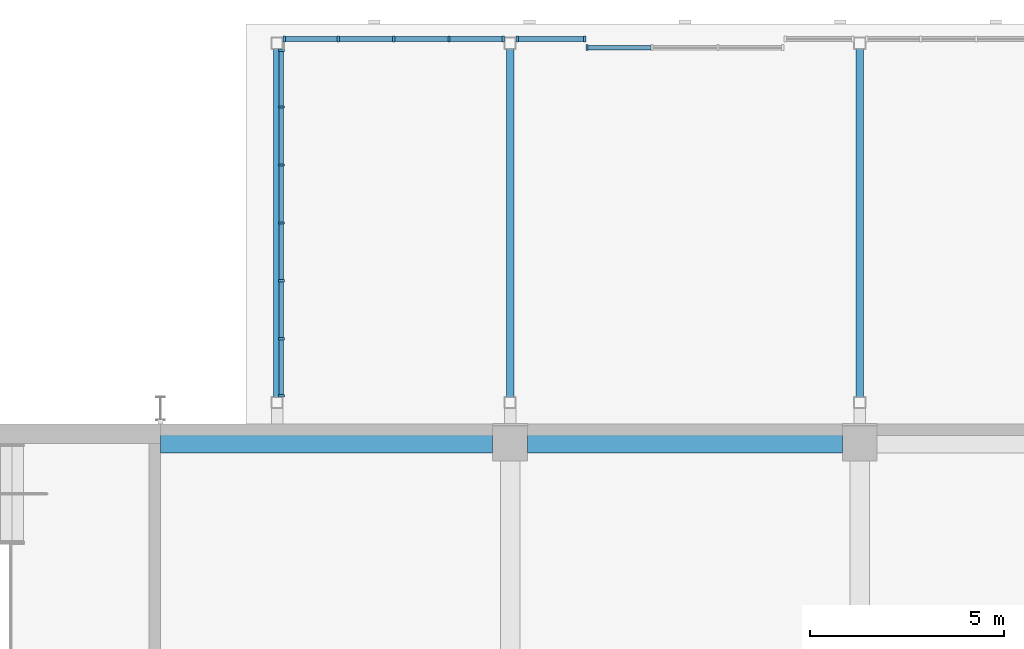
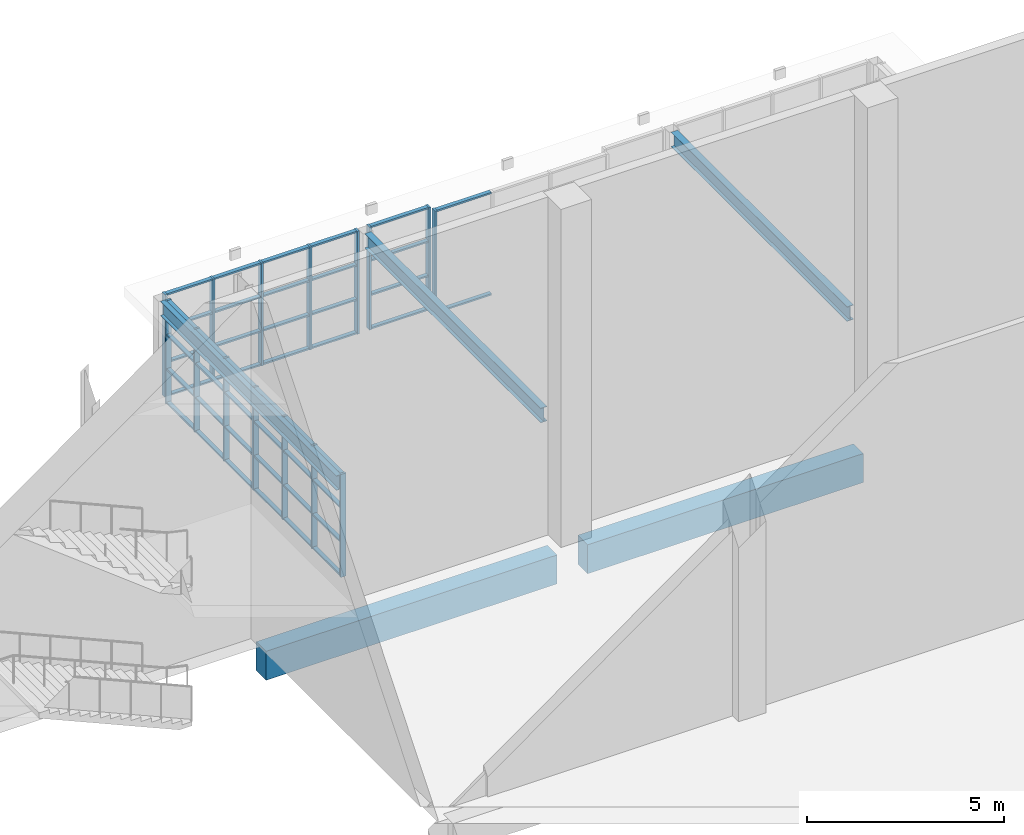
# One storey, part 58 of 182: 61 members, 5 beams, 4 elements without a shape of their own.
"""IFC4 building model written with IfcOpenShell, lengths in metres."""

from ifc_helpers import new_model, si_unit, direction, frame, origin, origin_2d, place, context, subcontext, project, spatial, rectangle, i_section, extrude, material, material_profile, profile_set, type_object, element, aggregate, save


model = new_model("IFC4")

# Units and contexts
model_context = context("Model", 3, precision=1e-05, world=origin(), true_north=direction((0.0, 1.0)))
body_context = subcontext(model_context, "Body", "Model", "MODEL_VIEW")
ifc_project = project(units=[si_unit("LENGTHUNIT", "METRE"), si_unit("AREAUNIT", "SQUARE_METRE"), si_unit("VOLUMEUNIT", "CUBIC_METRE"), si_unit("PLANEANGLEUNIT", "RADIAN"), si_unit("MASSUNIT", "GRAM", prefix="KILO")], contexts=[model_context])

# Site, building, storey
site_placement = place(None, origin())
site = spatial("IfcSite", under=ifc_project, at=site_placement, CompositionType="ELEMENT")
building_placement = place(site_placement, origin())
building = spatial("IfcBuilding", under=site, at=building_placement, Name="Silverbay Arena", CompositionType="ELEMENT")
storey_placement = place(building_placement, frame((0.0, 0.0, 11.5)))
storey = spatial("IfcBuildingStorey", under=building, at=storey_placement, Name="L02", CompositionType="ELEMENT", Elevation=11.5)

# Beams
ifc_material_1 = material(Name="Steel S355", Category="steel")
ifc_material_profile_1 = material_profile(ifc_material_1, i_section(OverallWidth=0.18994140625, OverallDepth=0.453369140625, WebThickness=0.008544921875, FlangeThickness=0.0126953125, at=origin_2d()), Name="UB 457x191x67")
ifc_profile_set_1 = profile_set([ifc_material_profile_1], Name="Steel S355")
beam_type_1 = type_object("IfcBeamType", Name="Hall beam UB 457x191x67", PredefinedType="BEAM", material=ifc_profile_set_1)
for number, where, z_axis, x_axis, name in (
    (1, (120.0, 145.199951171875, 2.973388671875), (0.0, 1.0, 0.0), (-1.0, 0.0, 0.0), "North entrance hall N1 transverse beam 1R"),
    (2, (126.0, 145.199951171875, 2.973388671875), (0.0, 1.0, 0.0), (-1.0, 0.0, 0.0), "North entrance hall N1 transverse beam 2R"),
    (3, (135.0, 145.199951171875, 2.973388671875), (0.0, 1.0, 0.0), (-1.0, 0.0, 0.0), "North entrance hall N1 transverse beam 3R"),
):
    element("IfcBeam", number, at=place(storey_placement, frame(where, z_axis=z_axis, x_axis=x_axis)), inside=storey, type_object=beam_type_1, Name=name, PredefinedType="BEAM", context=body_context, shape_type="SweptSolid", body=[
        extrude(i_section(OverallWidth=0.18994140625, OverallDepth=0.453369140625, WebThickness=0.008544921875, FlangeThickness=0.0126953125, at=origin_2d()), origin(), (0.0, 0.0, 1.0), 8.949951171875),
    ])

# Curtain wall, members
ifc_material_2 = material(Name="Aluminium framed curtain wall", Category="aluminium")
curtain_wall_type_1 = type_object("IfcCurtainWallType", Name="Curtain wall 5700 x 3200", PredefinedType="NOTDEFINED", material=ifc_material_2)
curtain_wall_1_placement = place(storey_placement, origin())
curtain_wall_1 = element("IfcCurtainWall", 4, at=curtain_wall_1_placement, inside=storey, type_object=curtain_wall_type_1, Name="North entrance hall N1 glazing F0", PredefinedType="NOTDEFINED")
ifc_material_3 = material(Name="Aluminium", Category="aluminium")
ifc_material_profile_2 = material_profile(ifc_material_3, rectangle(XDim=0.159912109375, YDim=0.06005859375, at=origin_2d()), Name="Mullion 60 x 160")
ifc_profile_set_2 = profile_set([ifc_material_profile_2], Name="Aluminium")
member_type_1 = type_object("IfcMemberType", Name="Mullion 60 x 160", PredefinedType="MULLION", material=ifc_profile_set_2)
member_1_placement = place(storey_placement, frame((120.179931640625, 154.409912109375, 0.0), z_axis=(0.0, 0.0, 1.0), x_axis=(0.0, 1.0, 0.0)))
member_1 = element("IfcMember", 5, at=member_1_placement, type_object=member_type_1, Name="CW43 mullion 1", PredefinedType="MULLION", context=body_context, shape_type="SweptSolid", body=[
    extrude(rectangle(XDim=0.159912109375, YDim=0.06005859375, at=origin_2d()), origin(), (0.0, 0.0, 1.0), 3.199951171875),
])
member_2_placement = place(storey_placement, frame((121.574951171875, 154.409912109375, 0.0), z_axis=(0.0, 0.0, 1.0), x_axis=(0.0, 1.0, 0.0)))
member_2 = element("IfcMember", 6, at=member_2_placement, type_object=member_type_1, Name="CW43 mullion 2", PredefinedType="MULLION", context=body_context, shape_type="SweptSolid", body=[
    extrude(rectangle(XDim=0.159912109375, YDim=0.06005859375, at=origin_2d()), origin(), (0.0, 0.0, 1.0), 3.199951171875),
])
member_3_placement = place(storey_placement, frame((123.0, 154.409912109375, 0.0), z_axis=(0.0, 0.0, 1.0), x_axis=(0.0, 1.0, 0.0)))
member_3 = element("IfcMember", 7, at=member_3_placement, type_object=member_type_1, Name="CW43 mullion 3", PredefinedType="MULLION", context=body_context, shape_type="SweptSolid", body=[
    extrude(rectangle(XDim=0.159912109375, YDim=0.06005859375, at=origin_2d()), origin(), (0.0, 0.0, 1.0), 3.199951171875),
])
member_4_placement = place(storey_placement, frame((124.425048828125, 154.409912109375, 0.0), z_axis=(0.0, 0.0, 1.0), x_axis=(0.0, 1.0, 0.0)))
member_4 = element("IfcMember", 8, at=member_4_placement, type_object=member_type_1, Name="CW43 mullion 4", PredefinedType="MULLION", context=body_context, shape_type="SweptSolid", body=[
    extrude(rectangle(XDim=0.159912109375, YDim=0.06005859375, at=origin_2d()), origin(), (0.0, 0.0, 1.0), 3.199951171875),
])
member_5_placement = place(storey_placement, frame((125.820068359375, 154.409912109375, 0.0), z_axis=(0.0, 0.0, 1.0), x_axis=(0.0, 1.0, 0.0)))
member_5 = element("IfcMember", 9, at=member_5_placement, type_object=member_type_1, Name="CW43 mullion 5", PredefinedType="MULLION", context=body_context, shape_type="SweptSolid", body=[
    extrude(rectangle(XDim=0.159912109375, YDim=0.06005859375, at=origin_2d()), origin(), (0.0, 0.0, 1.0), 3.199951171875),
])

ifc_material_4 = material(Name="Aluminium framed curtain wall", Category="aluminium")
curtain_wall_type_2 = type_object("IfcCurtainWallType", Name="Curtain wall 1800 x 3200", PredefinedType="NOTDEFINED", material=ifc_material_4)
curtain_wall_2_placement = place(storey_placement, origin())
curtain_wall_2 = element("IfcCurtainWall", 10, at=curtain_wall_2_placement, inside=storey, type_object=curtain_wall_type_2, Name="North entrance hall N1 glazing F1a", PredefinedType="NOTDEFINED")
member_6_placement = place(storey_placement, frame((126.179931640625, 154.409912109375, 0.0), z_axis=(0.0, 0.0, 1.0), x_axis=(0.0, 1.0, 0.0)))
member_6 = element("IfcMember", 11, at=member_6_placement, type_object=member_type_1, Name="CW45 mullion 1", PredefinedType="MULLION", context=body_context, shape_type="SweptSolid", body=[
    extrude(rectangle(XDim=0.159912109375, YDim=0.06005859375, at=origin_2d()), origin(), (0.0, 0.0, 1.0), 3.199951171875),
])
member_7_placement = place(storey_placement, frame((127.919921875, 154.409912109375, 0.0), z_axis=(0.0, 0.0, 1.0), x_axis=(0.0, 1.0, 0.0)))
member_7 = element("IfcMember", 12, at=member_7_placement, type_object=member_type_1, Name="CW45 mullion 2", PredefinedType="MULLION", context=body_context, shape_type="SweptSolid", body=[
    extrude(rectangle(XDim=0.159912109375, YDim=0.06005859375, at=origin_2d()), origin(), (0.0, 0.0, 1.0), 3.199951171875),
])

ifc_material_5 = material(Name="Aluminium framed curtain wall", Category="aluminium")
curtain_wall_type_3 = type_object("IfcCurtainWallType", Name="Curtain wall 8950 x 3200", PredefinedType="NOTDEFINED", material=ifc_material_5)
curtain_wall_3_placement = place(storey_placement, origin())
curtain_wall_3 = element("IfcCurtainWall", 13, at=curtain_wall_3_placement, inside=storey, type_object=curtain_wall_type_3, Name="North entrance hall N1 glazing SA", PredefinedType="NOTDEFINED")
member_8_placement = place(storey_placement, frame((120.110107421875, 154.1201171875, 0.0), z_axis=(0.0, 0.0, 1.0), x_axis=(1.0, 0.0, 0.0)))
member_8 = element("IfcMember", 14, at=member_8_placement, type_object=member_type_1, Name="CW47 mullion 1", PredefinedType="MULLION", context=body_context, shape_type="SweptSolid", body=[
    extrude(rectangle(XDim=0.159912109375, YDim=0.06005859375, at=origin_2d()), origin(), (0.0, 0.0, 1.0), 3.199951171875),
])
member_9_placement = place(storey_placement, frame((120.110107421875, 152.658447265625, 0.0), z_axis=(0.0, 0.0, 1.0), x_axis=(1.0, 0.0, 0.0)))
member_9 = element("IfcMember", 15, at=member_9_placement, type_object=member_type_1, Name="CW47 mullion 2", PredefinedType="MULLION", context=body_context, shape_type="SweptSolid", body=[
    extrude(rectangle(XDim=0.159912109375, YDim=0.06005859375, at=origin_2d()), origin(), (0.0, 0.0, 1.0), 3.199951171875),
])
member_10_placement = place(storey_placement, frame((120.110107421875, 151.166748046875, 0.0), z_axis=(0.0, 0.0, 1.0), x_axis=(1.0, 0.0, 0.0)))
member_10 = element("IfcMember", 16, at=member_10_placement, type_object=member_type_1, Name="CW47 mullion 3", PredefinedType="MULLION", context=body_context, shape_type="SweptSolid", body=[
    extrude(rectangle(XDim=0.159912109375, YDim=0.06005859375, at=origin_2d()), origin(), (0.0, 0.0, 1.0), 3.199951171875),
])
member_11_placement = place(storey_placement, frame((120.110107421875, 149.675048828125, 0.0), z_axis=(0.0, 0.0, 1.0), x_axis=(1.0, 0.0, 0.0)))
member_11 = element("IfcMember", 17, at=member_11_placement, type_object=member_type_1, Name="CW47 mullion 4", PredefinedType="MULLION", context=body_context, shape_type="SweptSolid", body=[
    extrude(rectangle(XDim=0.159912109375, YDim=0.06005859375, at=origin_2d()), origin(), (0.0, 0.0, 1.0), 3.199951171875),
])
member_12_placement = place(storey_placement, frame((120.110107421875, 148.183349609375, 0.0), z_axis=(0.0, 0.0, 1.0), x_axis=(1.0, 0.0, 0.0)))
member_12 = element("IfcMember", 18, at=member_12_placement, type_object=member_type_1, Name="CW47 mullion 5", PredefinedType="MULLION", context=body_context, shape_type="SweptSolid", body=[
    extrude(rectangle(XDim=0.159912109375, YDim=0.06005859375, at=origin_2d()), origin(), (0.0, 0.0, 1.0), 3.199951171875),
])
member_13_placement = place(storey_placement, frame((120.110107421875, 146.691650390625, 0.0), z_axis=(0.0, 0.0, 1.0), x_axis=(1.0, 0.0, 0.0)))
member_13 = element("IfcMember", 19, at=member_13_placement, type_object=member_type_1, Name="CW47 mullion 6", PredefinedType="MULLION", context=body_context, shape_type="SweptSolid", body=[
    extrude(rectangle(XDim=0.159912109375, YDim=0.06005859375, at=origin_2d()), origin(), (0.0, 0.0, 1.0), 3.199951171875),
])
member_14_placement = place(storey_placement, frame((120.110107421875, 145.22998046875, 0.0), z_axis=(0.0, 0.0, 1.0), x_axis=(1.0, 0.0, 0.0)))
member_14 = element("IfcMember", 20, at=member_14_placement, type_object=member_type_1, Name="CW47 mullion 7", PredefinedType="MULLION", context=body_context, shape_type="SweptSolid", body=[
    extrude(rectangle(XDim=0.159912109375, YDim=0.06005859375, at=origin_2d()), origin(), (0.0, 0.0, 1.0), 3.199951171875),
])

# Curtain wall, member
ifc_material_6 = material(Name="Aluminium framed curtain wall", Category="aluminium")
curtain_wall_type_4 = type_object("IfcCurtainWallType", Name="Curtain wall 5100 x 3200", PredefinedType="NOTDEFINED", material=ifc_material_6)
curtain_wall_4_placement = place(storey_placement, origin())
curtain_wall_4 = element("IfcCurtainWall", 21, at=curtain_wall_4_placement, inside=storey, type_object=curtain_wall_type_4, Name="North entrance hall N1 glazing over the door", PredefinedType="NOTDEFINED")
member_15_placement = place(storey_placement, frame((127.97998046875, 154.18994140625, 0.0), z_axis=(0.0, 0.0, 1.0), x_axis=(0.0, -1.0, 0.0)))
member_15 = element("IfcMember", 22, at=member_15_placement, type_object=member_type_1, Name="CW48 mullion 4", PredefinedType="MULLION", context=body_context, shape_type="SweptSolid", body=[
    extrude(rectangle(XDim=0.159912109375, YDim=0.06005859375, at=origin_2d()), origin(), (0.0, 0.0, 1.0), 3.199951171875),
])

# Beams
ifc_material_7 = material(Name="Concrete Grade C45", Category="concrete")
ifc_material_profile_3 = material_profile(ifc_material_7, rectangle(XDim=0.5, YDim=0.89990234375, at=origin_2d()), Name="RC 500x900")
ifc_profile_set_3 = profile_set([ifc_material_profile_3], Name="Concrete Grade C45")
beam_type_2 = type_object("IfcBeamType", Name="RC beam 500x900", PredefinedType="BEAM", material=ifc_profile_set_3)
beam_1_placement = place(storey_placement, frame((117.0, 144.0, -0.800048828125), z_axis=(1.0, 0.0, 0.0), x_axis=(0.0, 1.0, 0.0)))
element("IfcBeam", 23, at=beam_1_placement, inside=storey, type_object=beam_type_2, Name="Floor beam L02 175", PredefinedType="BEAM", context=body_context, shape_type="SweptSolid", body=[
    extrude(rectangle(XDim=0.5, YDim=0.89990234375, at=origin_2d()), origin(), (0.0, 0.0, 1.0), 8.550048828125),
])
beam_2_placement = place(storey_placement, frame((126.449951171875, 144.0, -0.800048828125), z_axis=(1.0, 0.0, 0.0), x_axis=(0.0, 1.0, 0.0)))
element("IfcBeam", 24, at=beam_2_placement, inside=storey, type_object=beam_type_2, Name="Floor beam L02 176", PredefinedType="BEAM", context=body_context, shape_type="SweptSolid", body=[
    extrude(rectangle(XDim=0.5, YDim=0.89990234375, at=origin_2d()), origin(), (0.0, 0.0, 1.0), 8.10009765625),
])

# Member
ifc_material_8 = material(Name="Aluminium", Category="aluminium")
ifc_material_profile_4 = material_profile(ifc_material_8, rectangle(XDim=0.1201171875, YDim=0.050048828125, at=origin_2d()), Name="Transom 50 x 120")
ifc_profile_set_4 = profile_set([ifc_material_profile_4], Name="Aluminium")
member_type_2 = type_object("IfcMemberType", Name="Transom 50 x 120", PredefinedType="USERDEFINED", material=ifc_profile_set_4)
member_16_placement = place(storey_placement, frame((120.2099609375, 154.409912109375, 0.02490234375), z_axis=(1.0, 0.0, 0.0), x_axis=(0.0, 1.0, 0.0)))
member_16 = element("IfcMember", 25, at=member_16_placement, type_object=member_type_2, Name="CW43 transom 1.1", ObjectType="TRANSOM", PredefinedType="USERDEFINED", context=body_context, shape_type="SweptSolid", body=[
    extrude(rectangle(XDim=0.1201171875, YDim=0.050048828125, at=origin_2d()), origin(), (0.0, 0.0, 1.0), 1.3349609375),
])

member_17_placement = place(storey_placement, frame((120.2099609375, 154.409912109375, 1.066650390625), z_axis=(1.0, 0.0, 0.0), x_axis=(0.0, 1.0, 0.0)))
member_17 = element("IfcMember", 26, at=member_17_placement, type_object=member_type_2, Name="CW43 transom 1.2", ObjectType="TRANSOM", PredefinedType="USERDEFINED", context=body_context, shape_type="SweptSolid", body=[
    extrude(rectangle(XDim=0.1201171875, YDim=0.050048828125, at=origin_2d()), origin(), (0.0, 0.0, 1.0), 1.3349609375),
])

member_18_placement = place(storey_placement, frame((120.2099609375, 154.409912109375, 2.13330078125), z_axis=(1.0, 0.0, 0.0), x_axis=(0.0, 1.0, 0.0)))
member_18 = element("IfcMember", 27, at=member_18_placement, type_object=member_type_2, Name="CW43 transom 1.3", ObjectType="TRANSOM", PredefinedType="USERDEFINED", context=body_context, shape_type="SweptSolid", body=[
    extrude(rectangle(XDim=0.1201171875, YDim=0.050048828125, at=origin_2d()), origin(), (0.0, 0.0, 1.0), 1.3349609375),
])

member_19_placement = place(storey_placement, frame((120.2099609375, 154.409912109375, 3.175048828125), z_axis=(1.0, 0.0, 0.0), x_axis=(0.0, 1.0, 0.0)))
member_19 = element("IfcMember", 28, at=member_19_placement, type_object=member_type_2, Name="CW43 transom 1.4", ObjectType="TRANSOM", PredefinedType="USERDEFINED", context=body_context, shape_type="SweptSolid", body=[
    extrude(rectangle(XDim=0.1201171875, YDim=0.050048828125, at=origin_2d()), origin(), (0.0, 0.0, 1.0), 1.3349609375),
])

member_20_placement = place(storey_placement, frame((121.60498046875, 154.409912109375, 0.02490234375), z_axis=(1.0, 0.0, 0.0), x_axis=(0.0, 1.0, 0.0)))
member_20 = element("IfcMember", 29, at=member_20_placement, type_object=member_type_2, Name="CW43 transom 2.1", ObjectType="TRANSOM", PredefinedType="USERDEFINED", context=body_context, shape_type="SweptSolid", body=[
    extrude(rectangle(XDim=0.1201171875, YDim=0.050048828125, at=origin_2d()), origin(), (0.0, 0.0, 1.0), 1.364990234375),
])

member_21_placement = place(storey_placement, frame((121.60498046875, 154.409912109375, 1.066650390625), z_axis=(1.0, 0.0, 0.0), x_axis=(0.0, 1.0, 0.0)))
member_21 = element("IfcMember", 30, at=member_21_placement, type_object=member_type_2, Name="CW43 transom 2.2", ObjectType="TRANSOM", PredefinedType="USERDEFINED", context=body_context, shape_type="SweptSolid", body=[
    extrude(rectangle(XDim=0.1201171875, YDim=0.050048828125, at=origin_2d()), origin(), (0.0, 0.0, 1.0), 1.364990234375),
])

member_22_placement = place(storey_placement, frame((121.60498046875, 154.409912109375, 2.13330078125), z_axis=(1.0, 0.0, 0.0), x_axis=(0.0, 1.0, 0.0)))
member_22 = element("IfcMember", 31, at=member_22_placement, type_object=member_type_2, Name="CW43 transom 2.3", ObjectType="TRANSOM", PredefinedType="USERDEFINED", context=body_context, shape_type="SweptSolid", body=[
    extrude(rectangle(XDim=0.1201171875, YDim=0.050048828125, at=origin_2d()), origin(), (0.0, 0.0, 1.0), 1.364990234375),
])

member_23_placement = place(storey_placement, frame((121.60498046875, 154.409912109375, 3.175048828125), z_axis=(1.0, 0.0, 0.0), x_axis=(0.0, 1.0, 0.0)))
member_23 = element("IfcMember", 32, at=member_23_placement, type_object=member_type_2, Name="CW43 transom 2.4", ObjectType="TRANSOM", PredefinedType="USERDEFINED", context=body_context, shape_type="SweptSolid", body=[
    extrude(rectangle(XDim=0.1201171875, YDim=0.050048828125, at=origin_2d()), origin(), (0.0, 0.0, 1.0), 1.364990234375),
])

member_24_placement = place(storey_placement, frame((123.030029296875, 154.409912109375, 0.02490234375), z_axis=(1.0, 0.0, 0.0), x_axis=(0.0, 1.0, 0.0)))
member_24 = element("IfcMember", 33, at=member_24_placement, type_object=member_type_2, Name="CW43 transom 3.1", ObjectType="TRANSOM", PredefinedType="USERDEFINED", context=body_context, shape_type="SweptSolid", body=[
    extrude(rectangle(XDim=0.1201171875, YDim=0.050048828125, at=origin_2d()), origin(), (0.0, 0.0, 1.0), 1.364990234375),
])

member_25_placement = place(storey_placement, frame((123.030029296875, 154.409912109375, 1.066650390625), z_axis=(1.0, 0.0, 0.0), x_axis=(0.0, 1.0, 0.0)))
member_25 = element("IfcMember", 34, at=member_25_placement, type_object=member_type_2, Name="CW43 transom 3.2", ObjectType="TRANSOM", PredefinedType="USERDEFINED", context=body_context, shape_type="SweptSolid", body=[
    extrude(rectangle(XDim=0.1201171875, YDim=0.050048828125, at=origin_2d()), origin(), (0.0, 0.0, 1.0), 1.364990234375),
])

member_26_placement = place(storey_placement, frame((123.030029296875, 154.409912109375, 2.13330078125), z_axis=(1.0, 0.0, 0.0), x_axis=(0.0, 1.0, 0.0)))
member_26 = element("IfcMember", 35, at=member_26_placement, type_object=member_type_2, Name="CW43 transom 3.3", ObjectType="TRANSOM", PredefinedType="USERDEFINED", context=body_context, shape_type="SweptSolid", body=[
    extrude(rectangle(XDim=0.1201171875, YDim=0.050048828125, at=origin_2d()), origin(), (0.0, 0.0, 1.0), 1.364990234375),
])

member_27_placement = place(storey_placement, frame((123.030029296875, 154.409912109375, 3.175048828125), z_axis=(1.0, 0.0, 0.0), x_axis=(0.0, 1.0, 0.0)))
member_27 = element("IfcMember", 36, at=member_27_placement, type_object=member_type_2, Name="CW43 transom 3.4", ObjectType="TRANSOM", PredefinedType="USERDEFINED", context=body_context, shape_type="SweptSolid", body=[
    extrude(rectangle(XDim=0.1201171875, YDim=0.050048828125, at=origin_2d()), origin(), (0.0, 0.0, 1.0), 1.364990234375),
])

member_28_placement = place(storey_placement, frame((124.455078125, 154.409912109375, 0.02490234375), z_axis=(1.0, 0.0, 0.0), x_axis=(0.0, 1.0, 0.0)))
member_28 = element("IfcMember", 37, at=member_28_placement, type_object=member_type_2, Name="CW43 transom 4.1", ObjectType="TRANSOM", PredefinedType="USERDEFINED", context=body_context, shape_type="SweptSolid", body=[
    extrude(rectangle(XDim=0.1201171875, YDim=0.050048828125, at=origin_2d()), origin(), (0.0, 0.0, 1.0), 1.3349609375),
])

member_29_placement = place(storey_placement, frame((124.455078125, 154.409912109375, 1.066650390625), z_axis=(1.0, 0.0, 0.0), x_axis=(0.0, 1.0, 0.0)))
member_29 = element("IfcMember", 38, at=member_29_placement, type_object=member_type_2, Name="CW43 transom 4.2", ObjectType="TRANSOM", PredefinedType="USERDEFINED", context=body_context, shape_type="SweptSolid", body=[
    extrude(rectangle(XDim=0.1201171875, YDim=0.050048828125, at=origin_2d()), origin(), (0.0, 0.0, 1.0), 1.3349609375),
])

member_30_placement = place(storey_placement, frame((124.455078125, 154.409912109375, 2.13330078125), z_axis=(1.0, 0.0, 0.0), x_axis=(0.0, 1.0, 0.0)))
member_30 = element("IfcMember", 39, at=member_30_placement, type_object=member_type_2, Name="CW43 transom 4.3", ObjectType="TRANSOM", PredefinedType="USERDEFINED", context=body_context, shape_type="SweptSolid", body=[
    extrude(rectangle(XDim=0.1201171875, YDim=0.050048828125, at=origin_2d()), origin(), (0.0, 0.0, 1.0), 1.3349609375),
])

member_31_placement = place(storey_placement, frame((124.455078125, 154.409912109375, 3.175048828125), z_axis=(1.0, 0.0, 0.0), x_axis=(0.0, 1.0, 0.0)))
member_31 = element("IfcMember", 40, at=member_31_placement, type_object=member_type_2, Name="CW43 transom 4.4", ObjectType="TRANSOM", PredefinedType="USERDEFINED", context=body_context, shape_type="SweptSolid", body=[
    extrude(rectangle(XDim=0.1201171875, YDim=0.050048828125, at=origin_2d()), origin(), (0.0, 0.0, 1.0), 1.3349609375),
])

aggregate(curtain_wall_1, [member_1, member_2, member_3, member_4, member_5, member_16, member_17, member_18, member_19, member_20, member_21, member_22, member_23, member_24, member_25, member_26, member_27, member_28, member_29, member_30, member_31])

member_32_placement = place(storey_placement, frame((126.2099609375, 154.409912109375, 0.02490234375), z_axis=(1.0, 0.0, 0.0), x_axis=(0.0, 1.0, 0.0)))
member_32 = element("IfcMember", 41, at=member_32_placement, type_object=member_type_2, Name="CW45 transom 1.1", ObjectType="TRANSOM", PredefinedType="USERDEFINED", context=body_context, shape_type="SweptSolid", body=[
    extrude(rectangle(XDim=0.1201171875, YDim=0.050048828125, at=origin_2d()), origin(), (0.0, 0.0, 1.0), 1.679931640625),
])

member_33_placement = place(storey_placement, frame((126.2099609375, 154.409912109375, 1.066650390625), z_axis=(1.0, 0.0, 0.0), x_axis=(0.0, 1.0, 0.0)))
member_33 = element("IfcMember", 42, at=member_33_placement, type_object=member_type_2, Name="CW45 transom 1.2", ObjectType="TRANSOM", PredefinedType="USERDEFINED", context=body_context, shape_type="SweptSolid", body=[
    extrude(rectangle(XDim=0.1201171875, YDim=0.050048828125, at=origin_2d()), origin(), (0.0, 0.0, 1.0), 1.679931640625),
])

member_34_placement = place(storey_placement, frame((126.2099609375, 154.409912109375, 2.13330078125), z_axis=(1.0, 0.0, 0.0), x_axis=(0.0, 1.0, 0.0)))
member_34 = element("IfcMember", 43, at=member_34_placement, type_object=member_type_2, Name="CW45 transom 1.3", ObjectType="TRANSOM", PredefinedType="USERDEFINED", context=body_context, shape_type="SweptSolid", body=[
    extrude(rectangle(XDim=0.1201171875, YDim=0.050048828125, at=origin_2d()), origin(), (0.0, 0.0, 1.0), 1.679931640625),
])

member_35_placement = place(storey_placement, frame((126.2099609375, 154.409912109375, 3.175048828125), z_axis=(1.0, 0.0, 0.0), x_axis=(0.0, 1.0, 0.0)))
member_35 = element("IfcMember", 44, at=member_35_placement, type_object=member_type_2, Name="CW45 transom 1.4", ObjectType="TRANSOM", PredefinedType="USERDEFINED", context=body_context, shape_type="SweptSolid", body=[
    extrude(rectangle(XDim=0.1201171875, YDim=0.050048828125, at=origin_2d()), origin(), (0.0, 0.0, 1.0), 1.679931640625),
])

aggregate(curtain_wall_2, [member_6, member_7, member_32, member_33, member_34, member_35])

member_36_placement = place(storey_placement, frame((120.110107421875, 154.090087890625, 0.02490234375), z_axis=(0.0, -1.0, 0.0), x_axis=(1.0, 0.0, 0.0)))
member_36 = element("IfcMember", 45, at=member_36_placement, type_object=member_type_2, Name="CW47 transom 1.1", ObjectType="TRANSOM", PredefinedType="USERDEFINED", context=body_context, shape_type="SweptSolid", body=[
    extrude(rectangle(XDim=0.1201171875, YDim=0.050048828125, at=origin_2d()), origin(), (0.0, 0.0, 1.0), 1.40185546875),
])

member_37_placement = place(storey_placement, frame((120.110107421875, 154.090087890625, 1.066650390625), z_axis=(0.0, -1.0, 0.0), x_axis=(1.0, 0.0, 0.0)))
member_37 = element("IfcMember", 46, at=member_37_placement, type_object=member_type_2, Name="CW47 transom 1.2", ObjectType="TRANSOM", PredefinedType="USERDEFINED", context=body_context, shape_type="SweptSolid", body=[
    extrude(rectangle(XDim=0.1201171875, YDim=0.050048828125, at=origin_2d()), origin(), (0.0, 0.0, 1.0), 1.40185546875),
])

member_38_placement = place(storey_placement, frame((120.110107421875, 154.090087890625, 2.13330078125), z_axis=(0.0, -1.0, 0.0), x_axis=(1.0, 0.0, 0.0)))
member_38 = element("IfcMember", 47, at=member_38_placement, type_object=member_type_2, Name="CW47 transom 1.3", ObjectType="TRANSOM", PredefinedType="USERDEFINED", context=body_context, shape_type="SweptSolid", body=[
    extrude(rectangle(XDim=0.1201171875, YDim=0.050048828125, at=origin_2d()), origin(), (0.0, 0.0, 1.0), 1.40185546875),
])

member_39_placement = place(storey_placement, frame((120.110107421875, 154.090087890625, 3.175048828125), z_axis=(0.0, -1.0, 0.0), x_axis=(1.0, 0.0, 0.0)))
member_39 = element("IfcMember", 48, at=member_39_placement, type_object=member_type_2, Name="CW47 transom 1.4", ObjectType="TRANSOM", PredefinedType="USERDEFINED", context=body_context, shape_type="SweptSolid", body=[
    extrude(rectangle(XDim=0.1201171875, YDim=0.050048828125, at=origin_2d()), origin(), (0.0, 0.0, 1.0), 1.40185546875),
])

member_40_placement = place(storey_placement, frame((120.110107421875, 152.62841796875, 0.02490234375), z_axis=(0.0, -1.0, 0.0), x_axis=(1.0, 0.0, 0.0)))
member_40 = element("IfcMember", 49, at=member_40_placement, type_object=member_type_2, Name="CW47 transom 2.1", ObjectType="TRANSOM", PredefinedType="USERDEFINED", context=body_context, shape_type="SweptSolid", body=[
    extrude(rectangle(XDim=0.1201171875, YDim=0.050048828125, at=origin_2d()), origin(), (0.0, 0.0, 1.0), 1.431640625),
])

member_41_placement = place(storey_placement, frame((120.110107421875, 152.62841796875, 1.066650390625), z_axis=(0.0, -1.0, 0.0), x_axis=(1.0, 0.0, 0.0)))
member_41 = element("IfcMember", 50, at=member_41_placement, type_object=member_type_2, Name="CW47 transom 2.2", ObjectType="TRANSOM", PredefinedType="USERDEFINED", context=body_context, shape_type="SweptSolid", body=[
    extrude(rectangle(XDim=0.1201171875, YDim=0.050048828125, at=origin_2d()), origin(), (0.0, 0.0, 1.0), 1.431640625),
])

member_42_placement = place(storey_placement, frame((120.110107421875, 152.62841796875, 2.13330078125), z_axis=(0.0, -1.0, 0.0), x_axis=(1.0, 0.0, 0.0)))
member_42 = element("IfcMember", 51, at=member_42_placement, type_object=member_type_2, Name="CW47 transom 2.3", ObjectType="TRANSOM", PredefinedType="USERDEFINED", context=body_context, shape_type="SweptSolid", body=[
    extrude(rectangle(XDim=0.1201171875, YDim=0.050048828125, at=origin_2d()), origin(), (0.0, 0.0, 1.0), 1.431640625),
])

member_43_placement = place(storey_placement, frame((120.110107421875, 152.62841796875, 3.175048828125), z_axis=(0.0, -1.0, 0.0), x_axis=(1.0, 0.0, 0.0)))
member_43 = element("IfcMember", 52, at=member_43_placement, type_object=member_type_2, Name="CW47 transom 2.4", ObjectType="TRANSOM", PredefinedType="USERDEFINED", context=body_context, shape_type="SweptSolid", body=[
    extrude(rectangle(XDim=0.1201171875, YDim=0.050048828125, at=origin_2d()), origin(), (0.0, 0.0, 1.0), 1.431640625),
])

member_44_placement = place(storey_placement, frame((120.110107421875, 151.13671875, 0.02490234375), z_axis=(0.0, -1.0, 0.0), x_axis=(1.0, 0.0, 0.0)))
member_44 = element("IfcMember", 53, at=member_44_placement, type_object=member_type_2, Name="CW47 transom 3.1", ObjectType="TRANSOM", PredefinedType="USERDEFINED", context=body_context, shape_type="SweptSolid", body=[
    extrude(rectangle(XDim=0.1201171875, YDim=0.050048828125, at=origin_2d()), origin(), (0.0, 0.0, 1.0), 1.431640625),
])

member_45_placement = place(storey_placement, frame((120.110107421875, 151.13671875, 1.066650390625), z_axis=(0.0, -1.0, 0.0), x_axis=(1.0, 0.0, 0.0)))
member_45 = element("IfcMember", 54, at=member_45_placement, type_object=member_type_2, Name="CW47 transom 3.2", ObjectType="TRANSOM", PredefinedType="USERDEFINED", context=body_context, shape_type="SweptSolid", body=[
    extrude(rectangle(XDim=0.1201171875, YDim=0.050048828125, at=origin_2d()), origin(), (0.0, 0.0, 1.0), 1.431640625),
])

member_46_placement = place(storey_placement, frame((120.110107421875, 151.13671875, 2.13330078125), z_axis=(0.0, -1.0, 0.0), x_axis=(1.0, 0.0, 0.0)))
member_46 = element("IfcMember", 55, at=member_46_placement, type_object=member_type_2, Name="CW47 transom 3.3", ObjectType="TRANSOM", PredefinedType="USERDEFINED", context=body_context, shape_type="SweptSolid", body=[
    extrude(rectangle(XDim=0.1201171875, YDim=0.050048828125, at=origin_2d()), origin(), (0.0, 0.0, 1.0), 1.431640625),
])

member_47_placement = place(storey_placement, frame((120.110107421875, 151.13671875, 3.175048828125), z_axis=(0.0, -1.0, 0.0), x_axis=(1.0, 0.0, 0.0)))
member_47 = element("IfcMember", 56, at=member_47_placement, type_object=member_type_2, Name="CW47 transom 3.4", ObjectType="TRANSOM", PredefinedType="USERDEFINED", context=body_context, shape_type="SweptSolid", body=[
    extrude(rectangle(XDim=0.1201171875, YDim=0.050048828125, at=origin_2d()), origin(), (0.0, 0.0, 1.0), 1.431640625),
])

member_48_placement = place(storey_placement, frame((120.110107421875, 149.64501953125, 0.02490234375), z_axis=(0.0, -1.0, 0.0), x_axis=(1.0, 0.0, 0.0)))
member_48 = element("IfcMember", 57, at=member_48_placement, type_object=member_type_2, Name="CW47 transom 4.1", ObjectType="TRANSOM", PredefinedType="USERDEFINED", context=body_context, shape_type="SweptSolid", body=[
    extrude(rectangle(XDim=0.1201171875, YDim=0.050048828125, at=origin_2d()), origin(), (0.0, 0.0, 1.0), 1.431640625),
])

member_49_placement = place(storey_placement, frame((120.110107421875, 149.64501953125, 1.066650390625), z_axis=(0.0, -1.0, 0.0), x_axis=(1.0, 0.0, 0.0)))
member_49 = element("IfcMember", 58, at=member_49_placement, type_object=member_type_2, Name="CW47 transom 4.2", ObjectType="TRANSOM", PredefinedType="USERDEFINED", context=body_context, shape_type="SweptSolid", body=[
    extrude(rectangle(XDim=0.1201171875, YDim=0.050048828125, at=origin_2d()), origin(), (0.0, 0.0, 1.0), 1.431640625),
])

member_50_placement = place(storey_placement, frame((120.110107421875, 149.64501953125, 2.13330078125), z_axis=(0.0, -1.0, 0.0), x_axis=(1.0, 0.0, 0.0)))
member_50 = element("IfcMember", 59, at=member_50_placement, type_object=member_type_2, Name="CW47 transom 4.3", ObjectType="TRANSOM", PredefinedType="USERDEFINED", context=body_context, shape_type="SweptSolid", body=[
    extrude(rectangle(XDim=0.1201171875, YDim=0.050048828125, at=origin_2d()), origin(), (0.0, 0.0, 1.0), 1.431640625),
])

member_51_placement = place(storey_placement, frame((120.110107421875, 149.64501953125, 3.175048828125), z_axis=(0.0, -1.0, 0.0), x_axis=(1.0, 0.0, 0.0)))
member_51 = element("IfcMember", 60, at=member_51_placement, type_object=member_type_2, Name="CW47 transom 4.4", ObjectType="TRANSOM", PredefinedType="USERDEFINED", context=body_context, shape_type="SweptSolid", body=[
    extrude(rectangle(XDim=0.1201171875, YDim=0.050048828125, at=origin_2d()), origin(), (0.0, 0.0, 1.0), 1.431640625),
])

member_52_placement = place(storey_placement, frame((120.110107421875, 148.1533203125, 0.02490234375), z_axis=(0.0, -1.0, 0.0), x_axis=(1.0, 0.0, 0.0)))
member_52 = element("IfcMember", 61, at=member_52_placement, type_object=member_type_2, Name="CW47 transom 5.1", ObjectType="TRANSOM", PredefinedType="USERDEFINED", context=body_context, shape_type="SweptSolid", body=[
    extrude(rectangle(XDim=0.1201171875, YDim=0.050048828125, at=origin_2d()), origin(), (0.0, 0.0, 1.0), 1.431640625),
])

member_53_placement = place(storey_placement, frame((120.110107421875, 148.1533203125, 1.066650390625), z_axis=(0.0, -1.0, 0.0), x_axis=(1.0, 0.0, 0.0)))
member_53 = element("IfcMember", 62, at=member_53_placement, type_object=member_type_2, Name="CW47 transom 5.2", ObjectType="TRANSOM", PredefinedType="USERDEFINED", context=body_context, shape_type="SweptSolid", body=[
    extrude(rectangle(XDim=0.1201171875, YDim=0.050048828125, at=origin_2d()), origin(), (0.0, 0.0, 1.0), 1.431640625),
])

member_54_placement = place(storey_placement, frame((120.110107421875, 148.1533203125, 2.13330078125), z_axis=(0.0, -1.0, 0.0), x_axis=(1.0, 0.0, 0.0)))
member_54 = element("IfcMember", 63, at=member_54_placement, type_object=member_type_2, Name="CW47 transom 5.3", ObjectType="TRANSOM", PredefinedType="USERDEFINED", context=body_context, shape_type="SweptSolid", body=[
    extrude(rectangle(XDim=0.1201171875, YDim=0.050048828125, at=origin_2d()), origin(), (0.0, 0.0, 1.0), 1.431640625),
])

member_55_placement = place(storey_placement, frame((120.110107421875, 148.1533203125, 3.175048828125), z_axis=(0.0, -1.0, 0.0), x_axis=(1.0, 0.0, 0.0)))
member_55 = element("IfcMember", 64, at=member_55_placement, type_object=member_type_2, Name="CW47 transom 5.4", ObjectType="TRANSOM", PredefinedType="USERDEFINED", context=body_context, shape_type="SweptSolid", body=[
    extrude(rectangle(XDim=0.1201171875, YDim=0.050048828125, at=origin_2d()), origin(), (0.0, 0.0, 1.0), 1.431640625),
])

member_56_placement = place(storey_placement, frame((120.110107421875, 146.66162109375, 0.02490234375), z_axis=(0.0, -1.0, 0.0), x_axis=(1.0, 0.0, 0.0)))
member_56 = element("IfcMember", 65, at=member_56_placement, type_object=member_type_2, Name="CW47 transom 6.1", ObjectType="TRANSOM", PredefinedType="USERDEFINED", context=body_context, shape_type="SweptSolid", body=[
    extrude(rectangle(XDim=0.1201171875, YDim=0.050048828125, at=origin_2d()), origin(), (0.0, 0.0, 1.0), 1.401611328125),
])

member_57_placement = place(storey_placement, frame((120.110107421875, 146.66162109375, 1.066650390625), z_axis=(0.0, -1.0, 0.0), x_axis=(1.0, 0.0, 0.0)))
member_57 = element("IfcMember", 66, at=member_57_placement, type_object=member_type_2, Name="CW47 transom 6.2", ObjectType="TRANSOM", PredefinedType="USERDEFINED", context=body_context, shape_type="SweptSolid", body=[
    extrude(rectangle(XDim=0.1201171875, YDim=0.050048828125, at=origin_2d()), origin(), (0.0, 0.0, 1.0), 1.401611328125),
])

member_58_placement = place(storey_placement, frame((120.110107421875, 146.66162109375, 2.13330078125), z_axis=(0.0, -1.0, 0.0), x_axis=(1.0, 0.0, 0.0)))
member_58 = element("IfcMember", 67, at=member_58_placement, type_object=member_type_2, Name="CW47 transom 6.3", ObjectType="TRANSOM", PredefinedType="USERDEFINED", context=body_context, shape_type="SweptSolid", body=[
    extrude(rectangle(XDim=0.1201171875, YDim=0.050048828125, at=origin_2d()), origin(), (0.0, 0.0, 1.0), 1.401611328125),
])

member_59_placement = place(storey_placement, frame((120.110107421875, 146.66162109375, 3.175048828125), z_axis=(0.0, -1.0, 0.0), x_axis=(1.0, 0.0, 0.0)))
member_59 = element("IfcMember", 68, at=member_59_placement, type_object=member_type_2, Name="CW47 transom 6.4", ObjectType="TRANSOM", PredefinedType="USERDEFINED", context=body_context, shape_type="SweptSolid", body=[
    extrude(rectangle(XDim=0.1201171875, YDim=0.050048828125, at=origin_2d()), origin(), (0.0, 0.0, 1.0), 1.401611328125),
])

aggregate(curtain_wall_3, [member_8, member_9, member_10, member_11, member_12, member_13, member_14, member_36, member_37, member_38, member_39, member_40, member_41, member_42, member_43, member_44, member_45, member_46, member_47, member_48, member_49, member_50, member_51, member_52, member_53, member_54, member_55, member_56, member_57, member_58, member_59])

member_60_placement = place(storey_placement, frame((129.6201171875, 154.18994140625, 0.02490234375), z_axis=(-1.0, 0.0, 0.0), x_axis=(0.0, -1.0, 0.0)))
member_60 = element("IfcMember", 69, at=member_60_placement, type_object=member_type_2, Name="CW48 transom 3.1", ObjectType="TRANSOM", PredefinedType="USERDEFINED", context=body_context, shape_type="SweptSolid", body=[
    extrude(rectangle(XDim=0.1201171875, YDim=0.050048828125, at=origin_2d()), origin(), (0.0, 0.0, 1.0), 1.610107421875),
])

member_61_placement = place(storey_placement, frame((129.6201171875, 154.18994140625, 3.175048828125), z_axis=(-1.0, 0.0, 0.0), x_axis=(0.0, -1.0, 0.0)))
member_61 = element("IfcMember", 70, at=member_61_placement, type_object=member_type_2, Name="CW48 transom 3.2", ObjectType="TRANSOM", PredefinedType="USERDEFINED", context=body_context, shape_type="SweptSolid", body=[
    extrude(rectangle(XDim=0.1201171875, YDim=0.050048828125, at=origin_2d()), origin(), (0.0, 0.0, 1.0), 1.610107421875),
])

aggregate(curtain_wall_4, [member_15, member_60, member_61])

save(model, "model.ifc")
